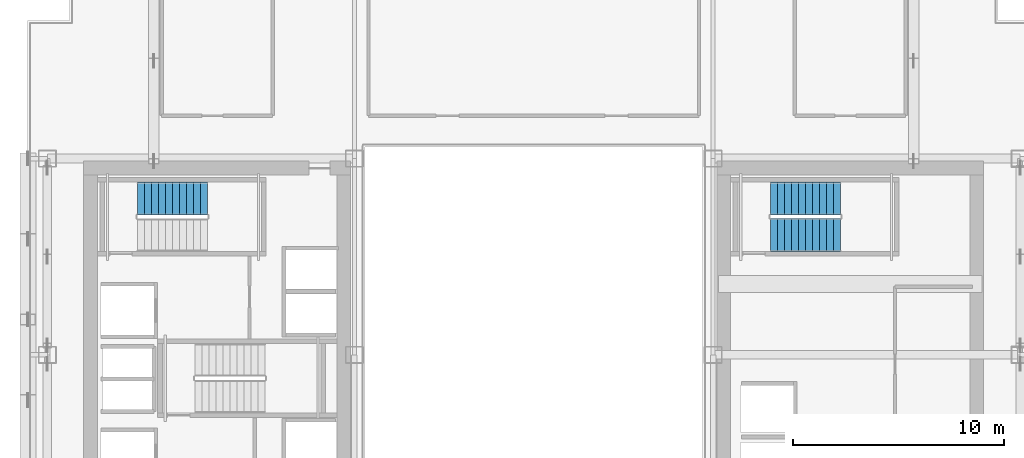
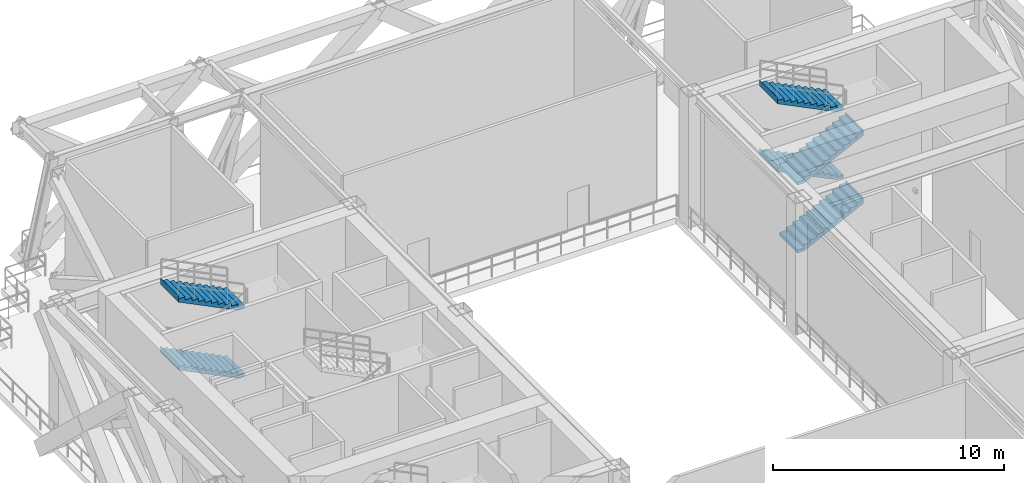
# One storey, part 9 of 14: 6 stair flights, 2 elements without a shape of their own.
"""IFC4 building model written with IfcOpenShell, lengths in metres."""

from ifc_helpers import new_model, si_unit, direction, frame, origin, place, context, subcontext, project, spatial, polyline, outline, extrude, source, transform, mapped, material, type_object, element, aggregate, save


model = new_model("IFC4")

# Units and contexts
model_context = context("Model", 3, precision=1e-05, world=origin(), true_north=direction((0.0, 1.0)))
body_context = subcontext(model_context, "Body", "Model", "MODEL_VIEW")
ifc_project = project(units=[si_unit("LENGTHUNIT", "METRE"), si_unit("AREAUNIT", "SQUARE_METRE"), si_unit("VOLUMEUNIT", "CUBIC_METRE"), si_unit("PLANEANGLEUNIT", "RADIAN"), si_unit("MASSUNIT", "GRAM", prefix="KILO")], contexts=[model_context])

# Site, building, storey
site_placement = place(None, origin())
site = spatial("IfcSite", under=ifc_project, at=site_placement, CompositionType="ELEMENT")
building_placement = place(site_placement, origin())
building = spatial("IfcBuilding", under=site, at=building_placement, Name="Ocotamira Hotel", CompositionType="ELEMENT")
storey_placement = place(building_placement, frame((0.0, 0.0, 151.199951171875)))
storey = spatial("IfcBuildingStorey", under=building, at=storey_placement, Name="L38", CompositionType="ELEMENT", Elevation=151.199951171875)

# Stair, stair flights
ifc_material = material(Name="Concrete C40/50", Category="concrete")
stair_type = type_object("IfcStairType", Name="ST-CORE-1560", PredefinedType="HALF_TURN_STAIR", material=ifc_material)
stair_1_placement = place(storey_placement, origin())
stair_1 = element("IfcStair", 1, at=stair_1_placement, inside=storey, type_object=stair_type, Name="L38 Exit Stair ST-2", PredefinedType="HALF_TURN_STAIR")
stair_flight_type = type_object("IfcStairFlightType", Name="STF-CORE-1560", PredefinedType="STRAIGHT", material=ifc_material)
shared_shape = source(origin(), body_context, "Body", "SweptSolid", [
    extrude(outline(polyline([(-0.00390625, 0.0), (-0.00390625, 0.16357421875), (0.330078125, 0.16357421875), (0.330078125, 0.327392578125), (0.659912109375, 0.327392578125), (0.659912109375, 0.490966796875), (0.989990234375, 0.490966796875), (0.989990234375, 0.654541015625), (1.320068359375, 0.654541015625), (1.320068359375, 0.818115234375), (1.64990234375, 0.818115234375), (1.64990234375, 0.98193359375), (1.97998046875, 0.98193359375), (1.97998046875, 1.1455078125), (2.31005859375, 1.1455078125), (2.31005859375, 1.30908203125), (2.639892578125, 1.30908203125), (2.639892578125, 1.47265625), (2.969970703125, 1.47265625), (2.969970703125, 1.636474609375), (3.300048828125, 1.636474609375), (3.300048828125, 1.800048828125), (3.303955078125, 1.800048828125), (3.303955078125, 1.468994140625), (0.33740234375, 0.0), (-0.00390625, 0.0)])), frame((0.0, 0.780029296875, 0.0), z_axis=(0.0, -1.0, 0.0), x_axis=(1.0, 0.0, 0.0)), (0.0, 0.0, 1.0), 1.56005859375),
])
stair_flight_1_placement = place(storey_placement, frame((16.530029296875, 35.550048828125, 1.800048828125), z_axis=(0.0, 0.0, 1.0), x_axis=(-1.0, 0.0, 0.0)))
stair_flight_1 = element("IfcStairFlight", 2, at=stair_flight_1_placement, type_object=stair_flight_type, Name="ST-2 flight 2", NumberOfRisers=11, NumberOfTreads=10, PredefinedType="STRAIGHT", RiserHeight=0.163636364, TreadLength=0.33, context=body_context, shape_type="MappedRepresentation", body=[
    mapped(shared_shape, transform((0.0, 0.0, 0.0), scale=1.0)),
])
stair_flight_2_placement = place(storey_placement, frame((16.530029296875, 35.550048828125, 5.400146484375), z_axis=(0.0, 0.0, 1.0), x_axis=(-1.0, 0.0, 0.0)))
stair_flight_2 = element("IfcStairFlight", 3, at=stair_flight_2_placement, type_object=stair_flight_type, Name="ST-2 flight 4", NumberOfRisers=11, NumberOfTreads=10, PredefinedType="STRAIGHT", RiserHeight=0.163636364, TreadLength=0.33, context=body_context, shape_type="MappedRepresentation", body=[
    mapped(shared_shape, transform((0.0, 0.0, 0.0), scale=1.0)),
])
aggregate(stair_1, [stair_flight_1, stair_flight_2])

stair_2_placement = place(storey_placement, origin())
stair_2 = element("IfcStair", 4, at=stair_2_placement, inside=storey, type_object=stair_type, Name="L38 Exit Stair ST-4", PredefinedType="HALF_TURN_STAIR")
stair_flight_3_placement = place(storey_placement, frame((43.22998046875, 33.830078125, 0.0), z_axis=(0.0, 0.0, 1.0), x_axis=(1.0, 0.0, 0.0)))
stair_flight_3 = element("IfcStairFlight", 5, at=stair_flight_3_placement, type_object=stair_flight_type, Name="ST-4 flight 1", NumberOfRisers=11, NumberOfTreads=10, PredefinedType="STRAIGHT", RiserHeight=0.163636364, TreadLength=0.33, context=body_context, shape_type="MappedRepresentation", body=[
    mapped(shared_shape, transform((0.0, 0.0, 0.0), scale=1.0)),
])
stair_flight_4_placement = place(storey_placement, frame((46.530029296875, 35.550048828125, 1.800048828125), z_axis=(0.0, 0.0, 1.0), x_axis=(-1.0, 0.0, 0.0)))
stair_flight_4 = element("IfcStairFlight", 6, at=stair_flight_4_placement, type_object=stair_flight_type, Name="ST-4 flight 2", NumberOfRisers=11, NumberOfTreads=10, PredefinedType="STRAIGHT", RiserHeight=0.163636364, TreadLength=0.33, context=body_context, shape_type="MappedRepresentation", body=[
    mapped(shared_shape, transform((0.0, 0.0, 0.0), scale=1.0)),
])
stair_flight_5_placement = place(storey_placement, frame((43.22998046875, 33.830078125, 3.60009765625), z_axis=(0.0, 0.0, 1.0), x_axis=(1.0, 0.0, 0.0)))
stair_flight_5 = element("IfcStairFlight", 7, at=stair_flight_5_placement, type_object=stair_flight_type, Name="ST-4 flight 3", NumberOfRisers=11, NumberOfTreads=10, PredefinedType="STRAIGHT", RiserHeight=0.163636364, TreadLength=0.33, context=body_context, shape_type="MappedRepresentation", body=[
    mapped(shared_shape, transform((0.0, 0.0, 0.0), scale=1.0)),
])
stair_flight_6_placement = place(storey_placement, frame((46.530029296875, 35.550048828125, 5.400146484375), z_axis=(0.0, 0.0, 1.0), x_axis=(-1.0, 0.0, 0.0)))
stair_flight_6 = element("IfcStairFlight", 8, at=stair_flight_6_placement, type_object=stair_flight_type, Name="ST-4 flight 4", NumberOfRisers=11, NumberOfTreads=10, PredefinedType="STRAIGHT", RiserHeight=0.163636364, TreadLength=0.33, context=body_context, shape_type="MappedRepresentation", body=[
    mapped(shared_shape, transform((0.0, 0.0, 0.0), scale=1.0)),
])
aggregate(stair_2, [stair_flight_3, stair_flight_4, stair_flight_5, stair_flight_6])

save(model, "model.ifc")
